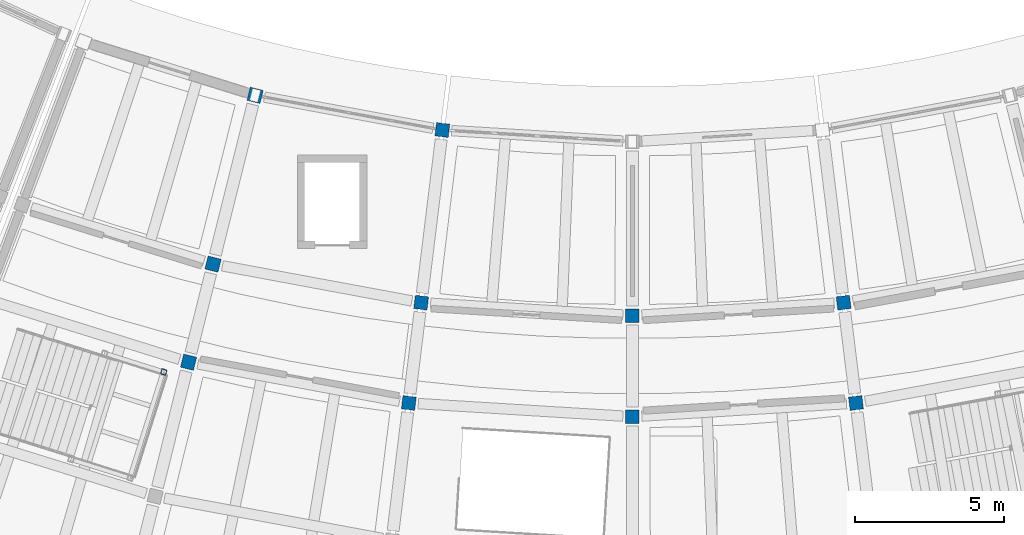
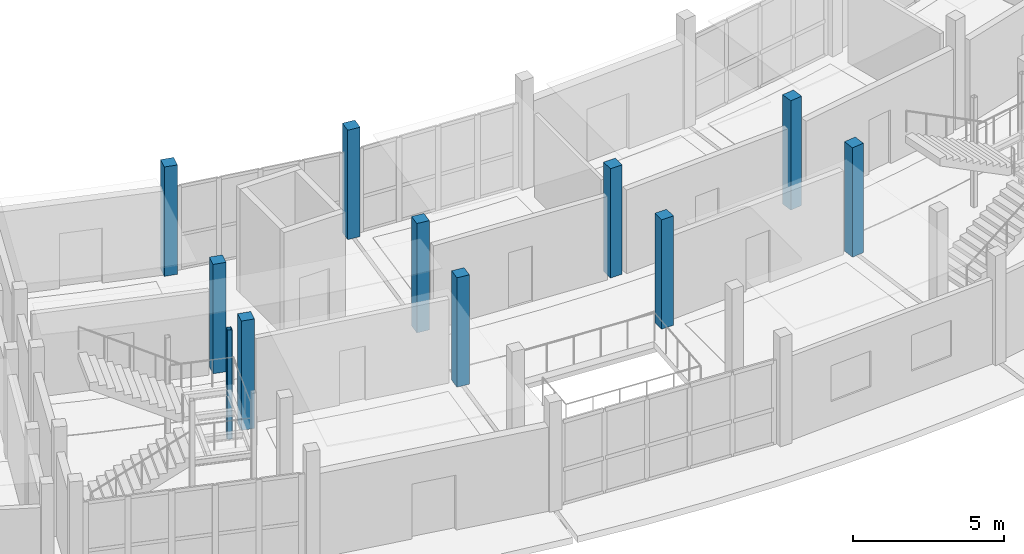
# One storey, part 12 of 92: 11 columns.
"""IFC4 building model written with IfcOpenShell, lengths in metres."""

from ifc_helpers import new_model, si_unit, direction, frame, origin, origin_2d, place, context, subcontext, project, spatial, rectangle, hollow_rectangle, extrude, material, material_profile, profile_set, type_object, element, save


model = new_model("IFC4")

# Units and contexts
model_context = context("Model", 3, precision=1e-05, world=origin(), true_north=direction((0.0, 1.0)))
body_context = subcontext(model_context, "Body", "Model", "MODEL_VIEW")
ifc_project = project(units=[si_unit("LENGTHUNIT", "METRE"), si_unit("AREAUNIT", "SQUARE_METRE"), si_unit("VOLUMEUNIT", "CUBIC_METRE"), si_unit("PLANEANGLEUNIT", "RADIAN"), si_unit("MASSUNIT", "GRAM", prefix="KILO")], contexts=[model_context])

# Site, building, storey
site_placement = place(None, origin())
site = spatial("IfcSite", under=ifc_project, at=site_placement, CompositionType="ELEMENT")
building_placement = place(site_placement, origin())
building = spatial("IfcBuilding", under=site, at=building_placement, Name="Caldaven Crescent School", CompositionType="ELEMENT")
storey_placement = place(building_placement, origin())
storey = spatial("IfcBuildingStorey", under=building, at=storey_placement, Name="L00", CompositionType="ELEMENT", Elevation=0.0)

# Columns
ifc_material_1 = material(Name="Glulam MLE24h (GL28h)", Category="wood")
ifc_material_profile_1 = material_profile(ifc_material_1, rectangle(XDim=0.449951171875, YDim=0.449951171875, at=origin_2d()), Name="MLE 450x450")
ifc_profile_set_1 = profile_set([ifc_material_profile_1], Name="Glulam MLE24h (GL28h)")
column_type_1 = type_object("IfcColumnType", Name="COL-GL45", PredefinedType="COLUMN", material=ifc_profile_set_1)
for number, where, z_axis, x_axis, name in (
    (1, (75.311279296875, 45.10791015625, 0.0), (0.0, 0.0, 1.0), (-0.2419218956, -0.970295726276, 0.0), "COL-V5-L00-01-0"),
    (2, (73.89599609375, 39.431640625, 0.0), (0.0, 0.0, 1.0), (-0.2419218956, -0.970295726276, 0.0), "COL-V5-L00-01-1"),
    (3, (73.073486328125, 36.1328125, 0.0), (0.0, 0.0, 1.0), (-0.2419218956, -0.970295726276, 0.0), "COL-V5-L00-01-2"),
    (4, (81.60791015625, 43.94091796875, 0.0), (0.0, 0.0, 1.0), (-0.121869343405, -0.992546151641, 0.0), "COL-V5-L00-02-0"),
    (5, (80.89501953125, 38.134521484375, 0.0), (0.0, 0.0, 1.0), (-0.121869343405, -0.992546151641, 0.0), "COL-V5-L00-02-1"),
    (6, (80.480712890625, 34.760009765625, 0.0), (0.0, 0.0, 1.0), (-0.121869343405, -0.992546151641, 0.0), "COL-V5-L00-02-2"),
    (7, (88.0, 37.699951171875, 0.0), (0.0, 0.0, 1.0), (0.0, -1.0, 0.0), "COL-V5-L00-03-1"),
    (8, (88.0, 34.300048828125, 0.0), (0.0, 0.0, 1.0), (0.0, -1.0, 0.0), "COL-V5-L00-03-2"),
    (9, (95.10498046875, 38.134521484375, 0.0), (0.0, 0.0, 1.0), (0.121869343405, -0.992546151641, 0.0), "COL-V5-L00-04-1"),
    (10, (95.519287109375, 34.760009765625, 0.0), (0.0, 0.0, 1.0), (0.121869343405, -0.992546151641, 0.0), "COL-V5-L00-04-2"),
):
    element("IfcColumn", number, at=place(storey_placement, frame(where, z_axis=z_axis, x_axis=x_axis)), inside=storey, type_object=column_type_1, Name=name, PredefinedType="COLUMN", context=body_context, shape_type="SweptSolid", body=[
        extrude(rectangle(XDim=0.449951171875, YDim=0.449951171875, at=origin_2d()), origin(), (0.0, 0.0, 1.0), 4.419921875),
    ])
ifc_material_2 = material(Name="Steel ASTM A572 Grade 50", Category="steel")
ifc_material_profile_2 = material_profile(ifc_material_2, hollow_rectangle(XDim=0.179931640625, YDim=0.179931640625, WallThickness=0.010009765625, InnerFilletRadius=0.010009765625, OuterFilletRadius=0.02001953125, at=origin_2d()), Name="HSS 180x180x10")
ifc_profile_set_2 = profile_set([ifc_material_profile_2], Name="Steel ASTM A572 Grade 50")
column_type_2 = type_object("IfcColumnType", Name="COL-HS18", PredefinedType="COLUMN", material=ifc_profile_set_2)
column_placement = place(storey_placement, frame((72.239013671875, 35.80322265625, 0.0), z_axis=(0.0, 0.0, 1.0), x_axis=(0.953716950748, -0.300705799504, 0.0)))
element("IfcColumn", 11, at=column_placement, inside=storey, type_object=column_type_2, Name="COL-STPOST-ST2-L00-D", PredefinedType="COLUMN", context=body_context, shape_type="SweptSolid", body=[
    extrude(hollow_rectangle(XDim=0.179931640625, YDim=0.179931640625, WallThickness=0.010009765625, InnerFilletRadius=0.010009765625, OuterFilletRadius=0.02001953125, at=origin_2d()), origin(), (0.0, 0.0, 1.0), 4.419921875),
])

save(model, "model.ifc")
